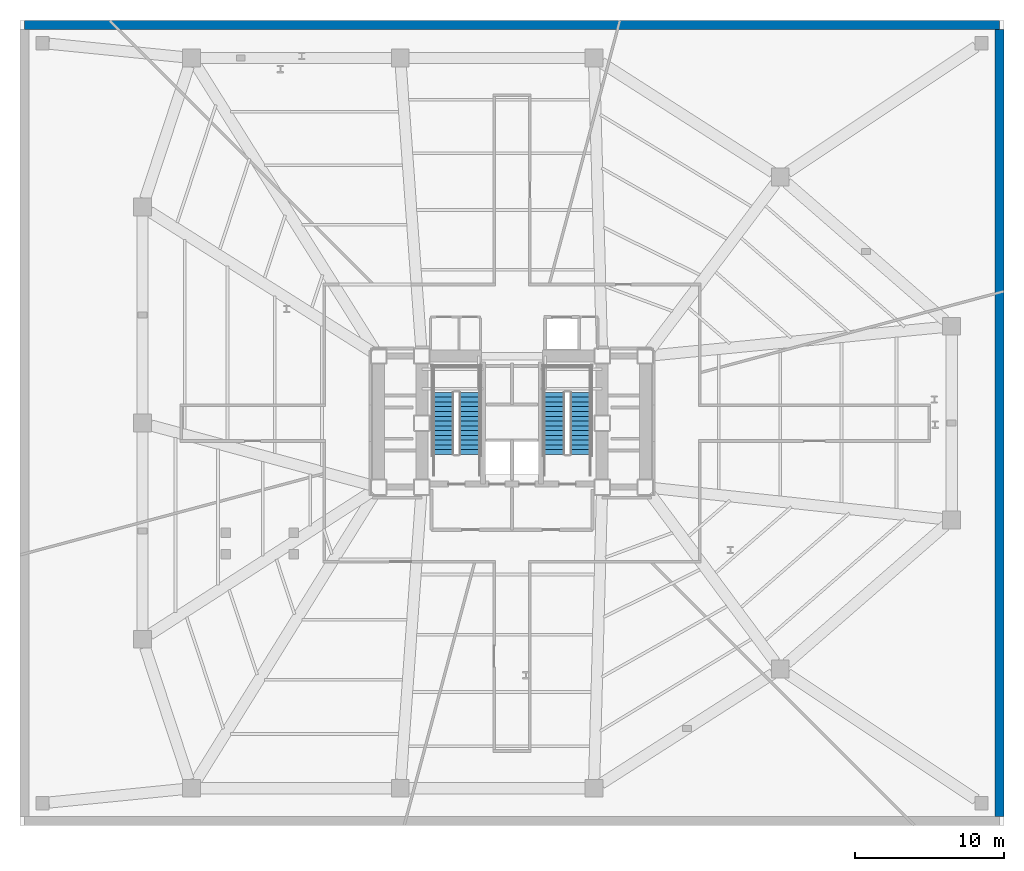
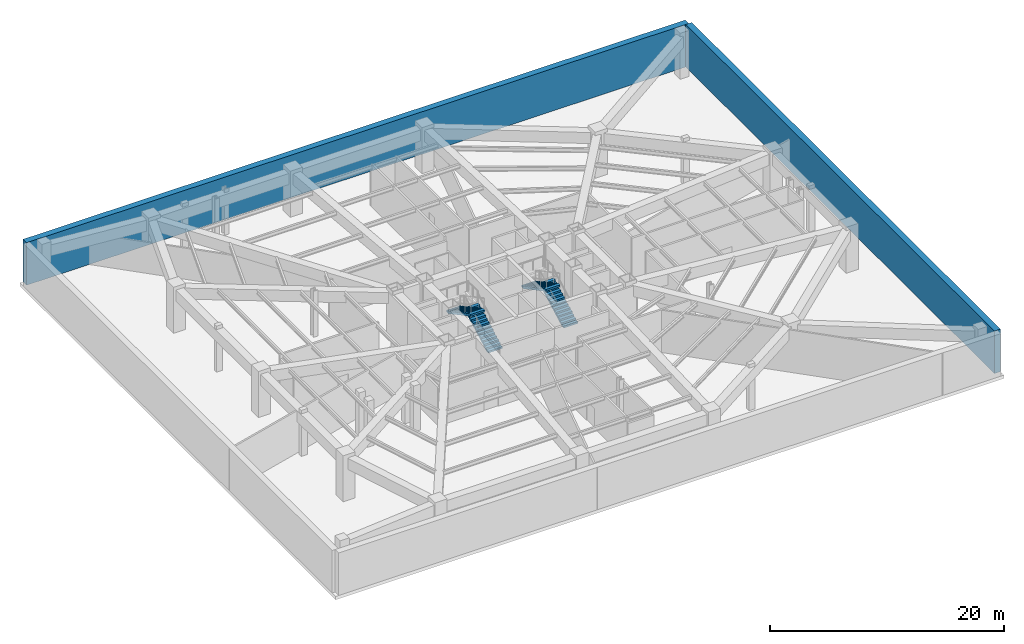
# One storey, part 5 of 6: 4 stair flights, 2 walls, 2 elements without a shape of their own.
"""IFC4 building model written with IfcOpenShell, lengths in metres."""

from ifc_helpers import new_model, si_unit, direction, frame, frame_2d, origin, place, context, subcontext, project, spatial, polyline, rectangle, outline, extrude, material, layer, layer_set, type_object, element, aggregate, save


model = new_model("IFC4")

# Units and contexts
model_context = context("Model", 3, precision=1e-05, world=origin(), true_north=direction((0.0, 1.0)))
body_context = subcontext(model_context, "Body", "Model", "MODEL_VIEW")
ifc_project = project(units=[si_unit("LENGTHUNIT", "METRE"), si_unit("AREAUNIT", "SQUARE_METRE"), si_unit("VOLUMEUNIT", "CUBIC_METRE"), si_unit("PLANEANGLEUNIT", "RADIAN"), si_unit("MASSUNIT", "GRAM", prefix="KILO")], contexts=[model_context])

# Site, building, storey
site_placement = place(None, origin())
site = spatial("IfcSite", under=ifc_project, at=site_placement, CompositionType="ELEMENT")
building_placement = place(site_placement, origin())
building = spatial("IfcBuilding", under=site, at=building_placement, Name="Rocaltana Carrier Exchange", CompositionType="ELEMENT")
storey_placement = place(building_placement, frame((0.0, 0.0, -4.800048828125)))
storey = spatial("IfcBuildingStorey", under=building, at=storey_placement, Name="Upper Basement", CompositionType="ELEMENT", Elevation=-4.800048828125)

# Walls
ifc_material_1 = material(Name="Concrete C50/60", Category="concrete")
ifc_layer = layer(ifc_material_1, 0.60009765625)
ifc_layer_set = layer_set([ifc_layer], Name="Concrete C50/60")
wall_type = type_object("IfcWallType", Name="Basement Diaphragm Wall 600", PredefinedType="SOLIDWALL", material=ifc_layer_set)
wall_1_placement = place(storey_placement, frame((-32.699951171875, 26.699951171875, 0.0), z_axis=(0.0, 0.0, 1.0), x_axis=(1.0, 0.0, 0.0)))
element("IfcWall", 1, at=wall_1_placement, inside=storey, type_object=wall_type, Name="Upper Basement Diaphragm Wall RW-N", PredefinedType="SOLIDWALL", context=body_context, shape_type="SweptSolid", body=[
    extrude(rectangle(XDim=65.39990234375, YDim=0.60009765625, at=frame_2d((32.699951171875, 0.0))), origin(), (0.0, 0.0, 1.0), 4.43798828125),
])
wall_2_placement = place(storey_placement, frame((32.699951171875, -26.39990234375, 0.0), z_axis=(0.0, 0.0, 1.0), x_axis=(0.0, 1.0, 0.0)))
element("IfcWall", 2, at=wall_2_placement, inside=storey, type_object=wall_type, Name="Upper Basement Diaphragm Wall RW-E", PredefinedType="SOLIDWALL", context=body_context, shape_type="SweptSolid", body=[
    extrude(rectangle(XDim=52.7998046875, YDim=0.60009765625, at=frame_2d((26.39990234375, 0.0))), origin(), (0.0, 0.0, 1.0), 4.43798828125),
])

# Stair, stair flights
ifc_material_2 = material(Name="Precast concrete C45/55", Category="concrete")
stair_type = type_object("IfcStairType", Name="Standard Dog-Leg Stair 160", PredefinedType="HALF_TURN_STAIR", material=ifc_material_2)
stair_1_placement = place(storey_placement, origin())
stair_1 = element("IfcStair", 3, at=stair_1_placement, inside=storey, type_object=stair_type, Name="Upper Basement Core West Exit Stair ST-1", PredefinedType="HALF_TURN_STAIR")
ifc_material_3 = material(Name="Precast concrete C45/55", Category="concrete")
stair_flight_type = type_object("IfcStairFlightType", Name="Precast Stair Flight 160", PredefinedType="STRAIGHT", material=ifc_material_3)
stair_flight_1_placement = place(storey_placement, frame((-2.840087890625, -2.10009765625, 0.0), z_axis=(0.0, 0.0, 1.0), x_axis=(0.0, 1.0, 0.0)))
stair_flight_1 = element("IfcStairFlight", 4, at=stair_flight_1_placement, type_object=stair_flight_type, Name="ST-1 flight 1", NumberOfRisers=14, NumberOfTreads=13, PredefinedType="STRAIGHT", RiserHeight=0.171428571, TreadLength=0.32, context=body_context, shape_type="SweptSolid", body=[
    extrude(outline(polyline([(0.0, 0.0), (0.0, 0.17138671875), (0.320068359375, 0.17138671875), (0.320068359375, 0.3427734375), (0.639892578125, 0.3427734375), (0.639892578125, 0.514404296875), (0.9599609375, 0.514404296875), (0.9599609375, 0.685791015625), (1.280029296875, 0.685791015625), (1.280029296875, 0.857177734375), (1.60009765625, 0.857177734375), (1.60009765625, 1.028564453125), (1.919921875, 1.028564453125), (1.919921875, 1.199951171875), (2.239990234375, 1.199951171875), (2.239990234375, 1.371337890625), (2.56005859375, 1.371337890625), (2.56005859375, 1.54296875), (2.8798828125, 1.54296875), (2.8798828125, 1.71435546875), (3.199951171875, 1.71435546875), (3.199951171875, 1.8857421875), (3.52001953125, 1.8857421875), (3.52001953125, 2.05712890625), (3.840087890625, 2.05712890625), (3.840087890625, 2.228515625), (4.159912109375, 2.228515625), (4.159912109375, 2.39990234375), (4.159912109375, 2.047119140625), (0.338623046875, 0.0), (0.0, 0.0)])), frame((0.0, 0.699951171875, 0.0), z_axis=(0.0, -1.0, 0.0), x_axis=(1.0, 0.0, 0.0)), (0.0, 0.0, 1.0), 1.39990234375),
])
stair_flight_2_placement = place(storey_placement, frame((-4.60009765625, 2.06005859375, 2.400146484375), z_axis=(0.0, 0.0, 1.0), x_axis=(0.0, -1.0, 0.0)))
stair_flight_2 = element("IfcStairFlight", 5, at=stair_flight_2_placement, type_object=stair_flight_type, Name="ST-1 flight 2", NumberOfRisers=14, NumberOfTreads=13, PredefinedType="STRAIGHT", RiserHeight=0.171428571, TreadLength=0.32, context=body_context, shape_type="SweptSolid", body=[
    extrude(outline(polyline([(0.0, 0.0), (0.0, 0.17138671875), (0.320068359375, 0.17138671875), (0.320068359375, 0.3427734375), (0.639892578125, 0.3427734375), (0.639892578125, 0.514404296875), (0.9599609375, 0.514404296875), (0.9599609375, 0.685791015625), (1.280029296875, 0.685791015625), (1.280029296875, 0.857177734375), (1.60009765625, 0.857177734375), (1.60009765625, 1.028564453125), (1.919921875, 1.028564453125), (1.919921875, 1.199951171875), (2.239990234375, 1.199951171875), (2.239990234375, 1.371337890625), (2.56005859375, 1.371337890625), (2.56005859375, 1.54296875), (2.8798828125, 1.54296875), (2.8798828125, 1.71435546875), (3.199951171875, 1.71435546875), (3.199951171875, 1.8857421875), (3.52001953125, 1.8857421875), (3.52001953125, 2.05712890625), (3.840087890625, 2.05712890625), (3.840087890625, 2.228515625), (4.159912109375, 2.228515625), (4.159912109375, 2.39990234375), (4.159912109375, 2.047119140625), (0.338623046875, 0.0), (0.0, 0.0)])), frame((0.0, 0.699951171875, 0.0), z_axis=(0.0, -1.0, 0.0), x_axis=(1.0, 0.0, 0.0)), (0.0, 0.0, 1.0), 1.39990234375),
])
aggregate(stair_1, [stair_flight_1, stair_flight_2])

stair_2_placement = place(storey_placement, origin())
stair_2 = element("IfcStair", 6, at=stair_2_placement, inside=storey, type_object=stair_type, Name="Upper Basement Core East Exit Stair ST-2", PredefinedType="HALF_TURN_STAIR")
stair_flight_3_placement = place(storey_placement, frame((4.60009765625, -2.10009765625, 0.0), z_axis=(0.0, 0.0, 1.0), x_axis=(0.0, 1.0, 0.0)))
stair_flight_3 = element("IfcStairFlight", 7, at=stair_flight_3_placement, type_object=stair_flight_type, Name="ST-2 flight 1", NumberOfRisers=14, NumberOfTreads=13, PredefinedType="STRAIGHT", RiserHeight=0.171428571, TreadLength=0.32, context=body_context, shape_type="SweptSolid", body=[
    extrude(outline(polyline([(0.0, 0.0), (0.0, 0.17138671875), (0.320068359375, 0.17138671875), (0.320068359375, 0.3427734375), (0.639892578125, 0.3427734375), (0.639892578125, 0.514404296875), (0.9599609375, 0.514404296875), (0.9599609375, 0.685791015625), (1.280029296875, 0.685791015625), (1.280029296875, 0.857177734375), (1.60009765625, 0.857177734375), (1.60009765625, 1.028564453125), (1.919921875, 1.028564453125), (1.919921875, 1.199951171875), (2.239990234375, 1.199951171875), (2.239990234375, 1.371337890625), (2.56005859375, 1.371337890625), (2.56005859375, 1.54296875), (2.8798828125, 1.54296875), (2.8798828125, 1.71435546875), (3.199951171875, 1.71435546875), (3.199951171875, 1.8857421875), (3.52001953125, 1.8857421875), (3.52001953125, 2.05712890625), (3.840087890625, 2.05712890625), (3.840087890625, 2.228515625), (4.159912109375, 2.228515625), (4.159912109375, 2.39990234375), (4.159912109375, 2.047119140625), (0.338623046875, 0.0), (0.0, 0.0)])), frame((0.0, 0.699951171875, 0.0), z_axis=(0.0, -1.0, 0.0), x_axis=(1.0, 0.0, 0.0)), (0.0, 0.0, 1.0), 1.39990234375),
])
stair_flight_4_placement = place(storey_placement, frame((2.840087890625, 2.06005859375, 2.400146484375), z_axis=(0.0, 0.0, 1.0), x_axis=(0.0, -1.0, 0.0)))
stair_flight_4 = element("IfcStairFlight", 8, at=stair_flight_4_placement, type_object=stair_flight_type, Name="ST-2 flight 2", NumberOfRisers=14, NumberOfTreads=13, PredefinedType="STRAIGHT", RiserHeight=0.171428571, TreadLength=0.32, context=body_context, shape_type="SweptSolid", body=[
    extrude(outline(polyline([(0.0, 0.0), (0.0, 0.17138671875), (0.320068359375, 0.17138671875), (0.320068359375, 0.3427734375), (0.639892578125, 0.3427734375), (0.639892578125, 0.514404296875), (0.9599609375, 0.514404296875), (0.9599609375, 0.685791015625), (1.280029296875, 0.685791015625), (1.280029296875, 0.857177734375), (1.60009765625, 0.857177734375), (1.60009765625, 1.028564453125), (1.919921875, 1.028564453125), (1.919921875, 1.199951171875), (2.239990234375, 1.199951171875), (2.239990234375, 1.371337890625), (2.56005859375, 1.371337890625), (2.56005859375, 1.54296875), (2.8798828125, 1.54296875), (2.8798828125, 1.71435546875), (3.199951171875, 1.71435546875), (3.199951171875, 1.8857421875), (3.52001953125, 1.8857421875), (3.52001953125, 2.05712890625), (3.840087890625, 2.05712890625), (3.840087890625, 2.228515625), (4.159912109375, 2.228515625), (4.159912109375, 2.39990234375), (4.159912109375, 2.047119140625), (0.338623046875, 0.0), (0.0, 0.0)])), frame((0.0, 0.699951171875, 0.0), z_axis=(0.0, -1.0, 0.0), x_axis=(1.0, 0.0, 0.0)), (0.0, 0.0, 1.0), 1.39990234375),
])
aggregate(stair_2, [stair_flight_3, stair_flight_4])

save(model, "model.ifc")
